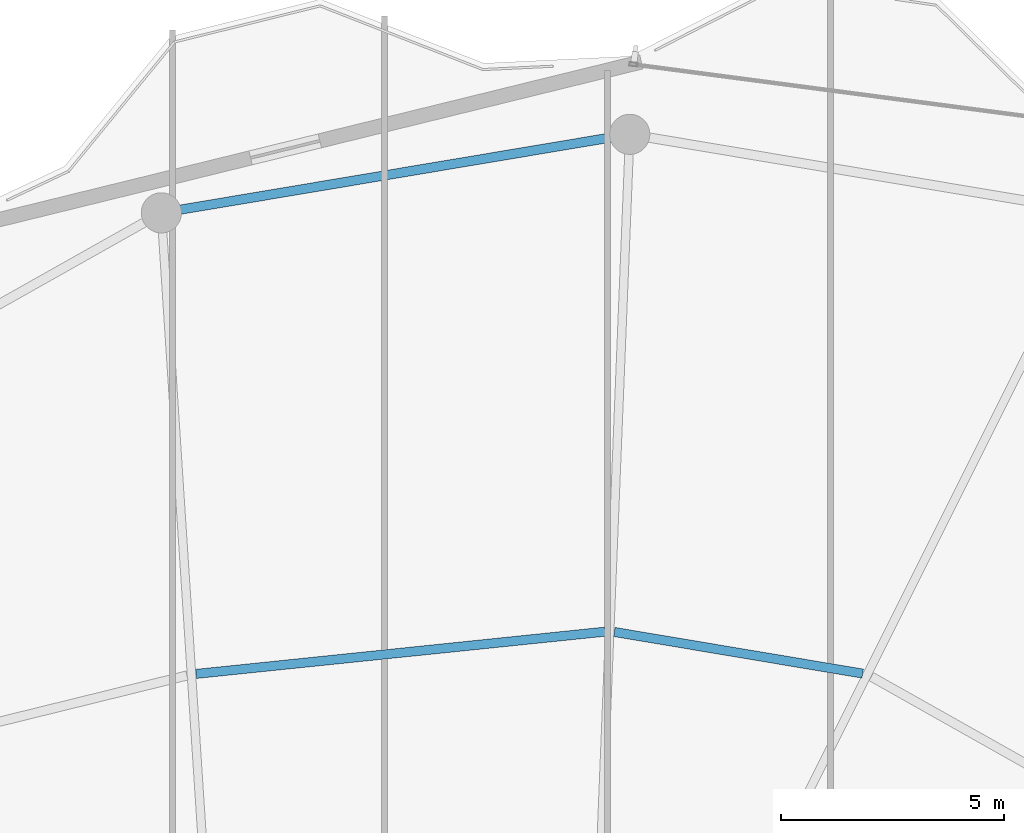
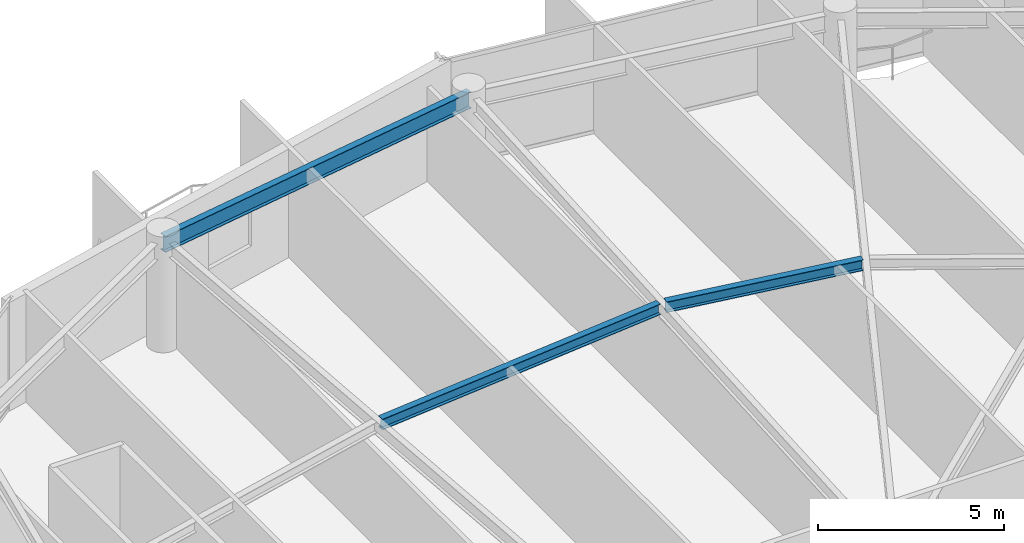
# One storey, part 19 of 29: 3 beams.
"""IFC4 building model written with IfcOpenShell, lengths in metres."""

import ifcopenshell
import ifcopenshell.guid

model = None  # the IFC model being written
_history = None  # IfcOwnerHistory: only IFC2X3 demands one
_inside = {}  # id of a spatial element -> (the spatial element, [elements in it])
_under = {}  # id of a project, library or spatial element -> (it, [spatial elements below it])
_declared = {}  # id of a project -> (the project, [libraries it declares])
_typed = {}  # id of a type object -> (the type object, [elements of that type])
_made_of = {}  # id of a material, layer set ... -> (it, [elements and type objects made of it])


def new_model(schema):
    """Start an empty IFC model of exactly this schema.

    Asked for "IFC4X3", IfcOpenShell would pick the latest addendum, in which some entities
    have other attributes; the version numbers below select the first issue.
    IFC2X3 requires an IfcOwnerHistory on every rooted entity: one is made here for all.
    """
    global model, _history
    if schema == "IFC4X3":
        model = ifcopenshell.file(schema_version=(4, 3, 0, 0))
    else:
        model = ifcopenshell.file(schema=schema)
    _inside.clear()
    _under.clear()
    _declared.clear()
    _typed.clear()
    _made_of.clear()
    _history = None
    if model.schema == "IFC2X3":
        org = make("IfcOrganization", Name="unknown")
        user = make(
            "IfcPersonAndOrganization",
            ThePerson=make("IfcPerson", FamilyName="unknown"),
            TheOrganization=org,
        )
        app = make(
            "IfcApplication",
            ApplicationDeveloper=org,
            Version="unknown",
            ApplicationFullName="unknown",
            ApplicationIdentifier="unknown",
        )
        _history = make(
            "IfcOwnerHistory",
            OwningUser=user,
            OwningApplication=app,
            ChangeAction="ADDED",
            CreationDate=0,
        )
    return model


def make(cls, **values):
    """One entity of the class cls with the attributes given. An attribute that is None is left unset."""
    return model.create_entity(
        cls, **{name: value for name, value in values.items() if value is not None}
    )


def rooted(cls, **values):
    """An entity with a GlobalId (a new one), such as an element, a storey or a relation."""
    return make(cls, GlobalId=ifcopenshell.guid.new(), OwnerHistory=_history, **values)


def si_unit(unit_type, name, prefix=None):
    """IfcSIUnit, for example si_unit("LENGTHUNIT", "METRE", prefix="MILLI")."""
    return make("IfcSIUnit", UnitType=unit_type, Prefix=prefix, Name=name)


def assignment(units):
    """IfcUnitAssignment: the units of a project."""
    return None if units is None else make("IfcUnitAssignment", Units=units)


def point(xyz):
    """IfcCartesianPoint."""
    return None if xyz is None else make("IfcCartesianPoint", Coordinates=xyz)


def direction(xyz):
    """IfcDirection."""
    return None if xyz is None else make("IfcDirection", DirectionRatios=xyz)


def frame(location, z_axis=None, x_axis=None):
    """IfcAxis2Placement3D, a coordinate frame: its origin and axes. An axis left out is left unset."""
    return make(
        "IfcAxis2Placement3D",
        Location=point(location),
        Axis=direction(z_axis),
        RefDirection=direction(x_axis),
    )


def frame_2d(location, x_axis=None):
    """IfcAxis2Placement2D, a coordinate frame in the plane: its origin and x axis."""
    return make(
        "IfcAxis2Placement2D", Location=point(location), RefDirection=direction(x_axis)
    )


def origin():
    """The frame at (0, 0, 0) with its axes left unset."""
    return frame((0.0, 0.0, 0.0))


def origin_2d():
    """The frame at (0, 0) in the plane with its x axis left unset."""
    return frame_2d((0.0, 0.0))


def place(relative_to, where):
    """IfcLocalPlacement: puts the frame where relative to a parent placement (None: the world)."""
    return make(
        "IfcLocalPlacement", PlacementRelTo=relative_to, RelativePlacement=where
    )


def context(
    kind, dimensions, precision=None, world=None, true_north=None, identifier=None
):
    """IfcGeometricRepresentationContext, for example the 3D "Model" context."""
    return make(
        "IfcGeometricRepresentationContext",
        ContextIdentifier=identifier,
        ContextType=kind,
        CoordinateSpaceDimension=dimensions,
        Precision=precision,
        WorldCoordinateSystem=world,
        TrueNorth=true_north,
    )


def subcontext(parent, identifier, kind, view, scale=None):
    """IfcGeometricRepresentationSubContext, for example "Body" below "Model"."""
    return make(
        "IfcGeometricRepresentationSubContext",
        ContextIdentifier=identifier,
        ContextType=kind,
        ParentContext=parent,
        TargetScale=scale,
        TargetView=view,
    )


def project(units=None, contexts=None):
    """IfcProject with its units and contexts."""
    return rooted(
        "IfcProject",
        Name="project",
        RepresentationContexts=contexts,
        UnitsInContext=assignment(units),
    )


def spatial(cls, under=None, at=None, **own):
    """A site, building, storey or space (cls), placed at a placement, below another one or the project."""
    s = rooted(cls, ObjectPlacement=at, **own)
    if under is not None:
        _under.setdefault(under.id(), (under, []))[1].append(s)
    return s


def profile(cls, at=None, kind="AREA", **sizes):
    """A parametric profile (cls). Its sizes go by their IFC names, for example OverallWidth=200.0."""
    return make(cls, ProfileType=kind, Position=at, **sizes)


def i_section(**sizes):
    """IfcIShapeProfileDef."""
    return profile("IfcIShapeProfileDef", **sizes)


def extrude(swept, where, along, depth):
    """IfcExtrudedAreaSolid: the profile swept, set in the frame where, extruded along a direction by depth."""
    return make(
        "IfcExtrudedAreaSolid",
        SweptArea=swept,
        Position=where,
        ExtrudedDirection=direction(along),
        Depth=depth,
    )


def shape(context_of_items, identifier, shape_type, items):
    """IfcShapeRepresentation: the items that make up one representation, for example the "Body"."""
    return make(
        "IfcShapeRepresentation",
        ContextOfItems=context_of_items,
        RepresentationIdentifier=identifier,
        RepresentationType=shape_type,
        Items=items,
    )


def material(Name=None, Category=None):
    """IfcMaterial."""
    return make("IfcMaterial", Name=Name, Category=Category)


def material_profile(
    of_material, cross_section, Name=None, Category=None, Priority=None
):
    """IfcMaterialProfile: a cross section and its material."""
    return make(
        "IfcMaterialProfile",
        Name=Name,
        Material=of_material,
        Profile=cross_section,
        Priority=Priority,
        Category=Category,
    )


def profile_set(profiles, Name=None, composite=None):
    """IfcMaterialProfileSet."""
    return make(
        "IfcMaterialProfileSet",
        Name=Name,
        MaterialProfiles=profiles,
        CompositeProfile=composite,
    )


def made_of(thing, what):
    """Note that an element or type object is made of a material, layer set ...; save() writes the relation."""
    if what is not None:
        _made_of.setdefault(what.id(), (what, []))[1].append(thing)
    return thing


def type_object(cls, material=None, **own):
    """A type object (cls), such as IfcWallType, which elements share."""
    return made_of(rooted(cls, **own), material)


def element(
    cls,
    number,
    at=None,
    inside=None,
    cuts=None,
    type_object=None,
    material=None,
    context=None,
    identifier="Body",
    shape_type=None,
    held_by="IfcProductDefinitionShape",
    body=None,
    shapes=None,
    **own,
):
    """One element of the class cls, such as IfcWall. Its Tag is "e" and its number.

    at: its placement. inside: the storey or other place that contains it. cuts: it is an
    opening in that element (IfcRelVoidsElement). A single representation is given by context,
    identifier, shape_type and body (its items); several are given by shapes. held_by: the class
    of the entity that holds the representations. save() writes the other relations.
    """
    e = rooted(cls, Tag="e%d" % number, ObjectPlacement=at, **own)
    if body is not None:
        shapes = [shape(context, identifier, shape_type, body)]
    if shapes is not None:
        e.Representation = make(held_by, Representations=shapes)
    if inside is not None:
        _inside.setdefault(inside.id(), (inside, []))[1].append(e)
    if cuts is not None:
        rooted(
            "IfcRelVoidsElement", RelatingBuildingElement=cuts, RelatedOpeningElement=e
        )
    if type_object is not None:
        _typed.setdefault(type_object.id(), (type_object, []))[1].append(e)
    return made_of(e, material)


def aggregate(whole, parts):
    """IfcRelAggregates: a whole, such as a stair, and the parts it consists of."""
    return rooted("IfcRelAggregates", RelatingObject=whole, RelatedObjects=parts)


def save(model, path):
    """Write the relations noted so far, then the file.

    IfcRelAggregates (storeys below a building ...), IfcRelContainedInSpatialStructure (elements
    in a storey), IfcRelDefinesByType, IfcRelAssociatesMaterial and IfcRelDeclares: one each for
    every whole, place, type object, material and project.
    """
    for whole, parts in _under.values():
        aggregate(whole, parts)
    for where, things in _inside.values():
        rooted(
            "IfcRelContainedInSpatialStructure",
            RelatedElements=things,
            RelatingStructure=where,
        )
    for kind, things in _typed.values():
        rooted("IfcRelDefinesByType", RelatedObjects=things, RelatingType=kind)
    for what, things in _made_of.values():
        rooted("IfcRelAssociatesMaterial", RelatedObjects=things, RelatingMaterial=what)
    for by, libraries in _declared.values():
        rooted("IfcRelDeclares", RelatingContext=by, RelatedDefinitions=libraries)
    model.write(path)


model = new_model("IFC4")

# Units and contexts
model_context = context("Model", 3, precision=1e-05, world=origin(), true_north=direction((0.0, 1.0)))
body_context = subcontext(model_context, "Body", "Model", "MODEL_VIEW")
ifc_project = project(units=[si_unit("LENGTHUNIT", "METRE"), si_unit("AREAUNIT", "SQUARE_METRE"), si_unit("VOLUMEUNIT", "CUBIC_METRE"), si_unit("PLANEANGLEUNIT", "RADIAN"), si_unit("MASSUNIT", "GRAM", prefix="KILO")], contexts=[model_context])

# Site, building, storey
site_placement = place(None, origin())
site = spatial("IfcSite", under=ifc_project, at=site_placement, CompositionType="ELEMENT")
building_placement = place(site_placement, origin())
building = spatial("IfcBuilding", under=site, at=building_placement, Name="Kazevale Care Tower and Concert Hall", CompositionType="ELEMENT")
storey_placement = place(building_placement, frame((0.0, 0.0, 262.39990234375)))
storey = spatial("IfcBuildingStorey", under=building, at=storey_placement, Name="L69", CompositionType="ELEMENT", Elevation=262.39990234375)

# Beams
ifc_material = material(Name="Steel ASTM A572 Gr 50", Category="steel")
ifc_material_profile_1 = material_profile(ifc_material, i_section(OverallWidth=0.205078125, OverallDepth=0.35400390625, WebThickness=0.009521484375, FlangeThickness=0.016845703125, at=origin_2d()), Name="W360x79")
ifc_profile_set_1 = profile_set([ifc_material_profile_1], Name="Steel ASTM A572 Gr 50")
beam_type_1 = type_object("IfcBeamType", Name="Secondary Floor Joist W360x79", PredefinedType="JOIST", material=ifc_profile_set_1)
beam_1_placement = place(storey_placement, frame((50.220947265625, 49.06201171875, 3.383056640625), z_axis=(-0.986241534462, 0.165310724705, 0.0), x_axis=(-0.165310724705, -0.986241534462, 0.0)))
element("IfcBeam", 1, at=beam_1_placement, inside=storey, type_object=beam_type_1, Name="beam:L69:joist:04", PredefinedType="JOIST", context=body_context, shape_type="SweptSolid", body=[
    extrude(i_section(OverallWidth=0.205078125, OverallDepth=0.35400390625, WebThickness=0.009521484375, FlangeThickness=0.016845703125, at=origin_2d()), origin(), (0.0, 0.0, 1.0), 5.64453125),
])
beam_2_placement = place(storey_placement, frame((44.446044921875, 50.001953125, 3.383056640625), z_axis=(-0.994706089671, -0.10276086401, 0.0), x_axis=(0.10276086401, -0.994706089671, 0.0)))
element("IfcBeam", 2, at=beam_2_placement, inside=storey, type_object=beam_type_1, Name="beam:L69:joist:05", PredefinedType="JOIST", context=body_context, shape_type="SweptSolid", body=[
    extrude(i_section(OverallWidth=0.205078125, OverallDepth=0.35400390625, WebThickness=0.009521484375, FlangeThickness=0.016845703125, at=origin_2d()), origin(), (0.0, 0.0, 1.0), 9.2158203125),
])
ifc_material_profile_2 = material_profile(ifc_material, i_section(OverallWidth=0.208984375, OverallDepth=0.532958984375, WebThickness=0.01025390625, FlangeThickness=0.015625, at=origin_2d()), Name="W530x92")
ifc_profile_set_2 = profile_set([ifc_material_profile_2], Name="Steel ASTM A572 Gr 50")
beam_type_2 = type_object("IfcBeamType", Name="Upper Ring Beam W530x92", PredefinedType="BEAM", material=ifc_profile_set_2)
beam_3_placement = place(storey_placement, frame((45.0, 61.14990234375, 3.293701171875), z_axis=(-0.986241035683, -0.165313700387, 0.0), x_axis=(0.165313700387, -0.986241035683, 0.0)))
element("IfcBeam", 3, at=beam_3_placement, inside=storey, type_object=beam_type_2, Name="beam:L69:ring:05", PredefinedType="BEAM", context=body_context, shape_type="SweptSolid", body=[
    extrude(i_section(OverallWidth=0.208984375, OverallDepth=0.532958984375, WebThickness=0.01025390625, FlangeThickness=0.015625, at=origin_2d()), origin(), (0.0, 0.0, 1.0), 10.646484375),
])

save(model, "model.ifc")
